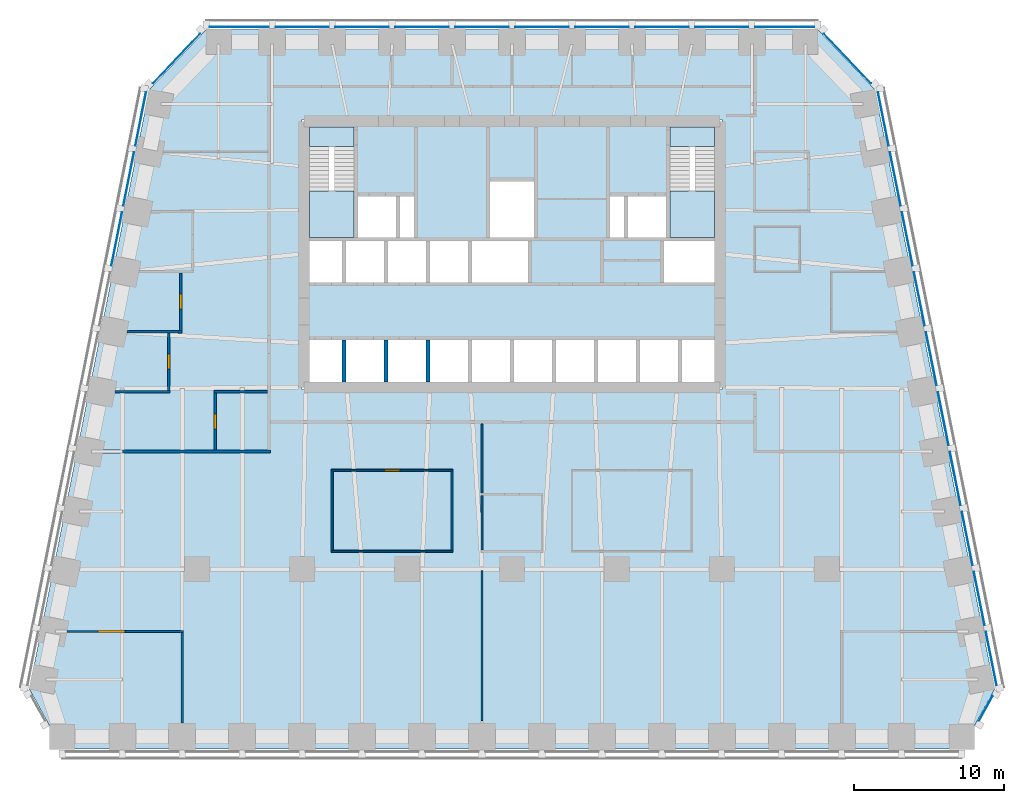
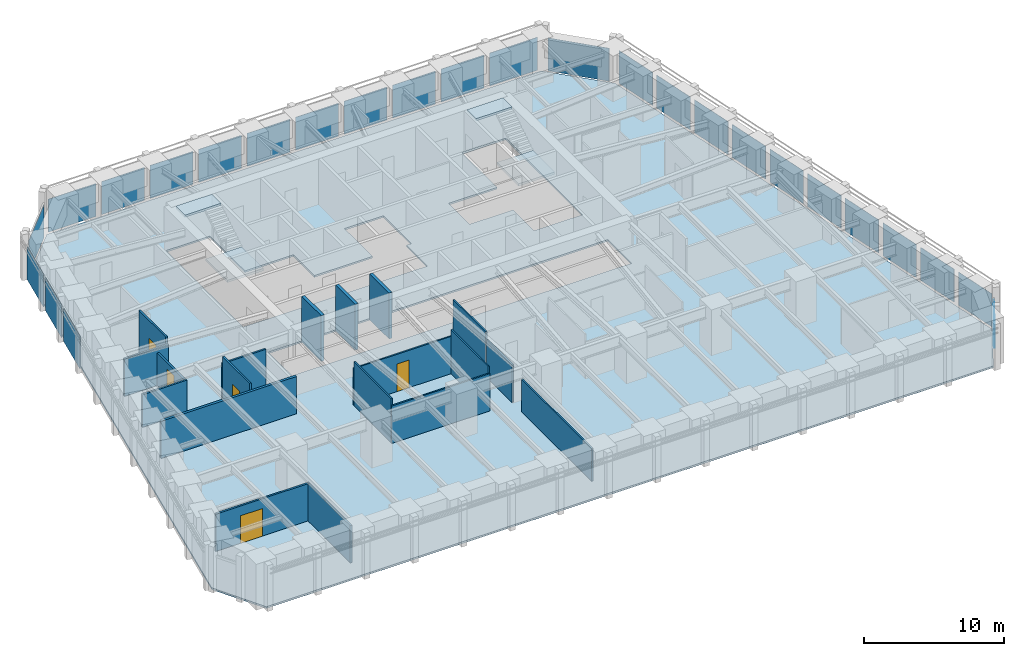
# One storey, part 5 of 10: 26 plates, 19 walls, 5 doors, 5 slabs, 5 openings, 8 elements without a shape of their own.
"""IFC4 building model written with IfcOpenShell, lengths in metres."""

from ifc_helpers import new_model, si_unit, direction, frame, frame_2d, origin, origin_2d, place, context, subcontext, project, spatial, polyline, rectangle, outline, extrude, material, layer, layer_set, type_object, element, fill, aggregate, save


model = new_model("IFC4")

# Units and contexts
model_context = context("Model", 3, precision=1e-05, world=origin(), true_north=direction((0.0, 1.0)))
body_context = subcontext(model_context, "Body", "Model", "MODEL_VIEW")
ifc_project = project(units=[si_unit("LENGTHUNIT", "METRE"), si_unit("AREAUNIT", "SQUARE_METRE"), si_unit("VOLUMEUNIT", "CUBIC_METRE"), si_unit("PLANEANGLEUNIT", "RADIAN"), si_unit("MASSUNIT", "GRAM", prefix="KILO")], contexts=[model_context])

# Site, building, storey
site_placement = place(None, origin())
site = spatial("IfcSite", under=ifc_project, at=site_placement, CompositionType="ELEMENT")
building_placement = place(site_placement, origin())
building = spatial("IfcBuilding", under=site, at=building_placement, Name="Isbrekke Arena Tower", CompositionType="ELEMENT")
storey_placement = place(building_placement, frame((0.0, 0.0, 115.0)))
storey = spatial("IfcBuildingStorey", under=building, at=storey_placement, Name="L25", CompositionType="ELEMENT", Elevation=115.0)

# Curtain wall, plate
ifc_material_1 = material(Name="Glazed aluminium curtain wall", Category="aluminium")
curtain_wall_type = type_object("IfcCurtainWallType", Name="CWM TOWER CURTAIN WALL MID ZONE", PredefinedType="USERDEFINED", material=ifc_material_1)
curtain_wall_1_placement = place(storey_placement, origin())
curtain_wall_1 = element("IfcCurtainWall", 1, at=curtain_wall_1_placement, inside=storey, type_object=curtain_wall_type, Name="CWM curtain wall L25-SE", ObjectType="TOWER CURTAIN WALL MID ZONE", PredefinedType="USERDEFINED")
ifc_material_2 = material(Name="Triple-glazed clear glass unit", Category="glass")
ifc_layer_1 = layer(ifc_material_2, 0.031982421875)
ifc_layer_set_1 = layer_set([ifc_layer_1], Name="CWM-P VISION PANEL")
plate_type = type_object("IfcPlateType", Name="CWM-P VISION PANEL", PredefinedType="CURTAIN_PANEL", material=ifc_layer_set_1)
plate_1_placement = place(storey_placement, frame((31.604248046875, -15.29052734375, 0.02001953125), z_axis=(0.0, 0.0, 1.0), x_axis=(0.481918749773, 0.876215908676, 0.0)))
plate_1 = element("IfcPlate", 2, at=plate_1_placement, type_object=plate_type, Name="CWM-P panel 1", PredefinedType="CURTAIN_PANEL", context=body_context, shape_type="SweptSolid", body=[
    extrude(rectangle(XDim=1.876220703125, YDim=0.031982421875, at=origin_2d()), origin(), (0.0, 0.0, 1.0), 2.8798828125),
])
aggregate(curtain_wall_1, [plate_1])

# Curtain wall, plates
curtain_wall_2_placement = place(storey_placement, origin())
curtain_wall_2 = element("IfcCurtainWall", 3, at=curtain_wall_2_placement, inside=storey, type_object=curtain_wall_type, Name="CWM curtain wall L25-E", ObjectType="TOWER CURTAIN WALL MID ZONE", PredefinedType="USERDEFINED")
plate_2_placement = place(storey_placement, frame((31.9716796875, -11.965576171875, 0.02001953125), z_axis=(0.0, 0.0, 1.0), x_axis=(-0.196116135138, 0.980580675691, 0.0)))
plate_2 = element("IfcPlate", 4, at=plate_2_placement, type_object=plate_type, Name="CWM-P panel 1", PredefinedType="CURTAIN_PANEL", context=body_context, shape_type="SweptSolid", body=[
    extrude(rectangle(XDim=3.629150390625, YDim=0.031982421875, at=origin_2d()), origin(), (0.0, 0.0, 1.0), 2.8798828125),
])
plate_3_placement = place(storey_placement, frame((31.171630859375, -7.965576171875, 0.02001953125), z_axis=(0.0, 0.0, 1.0), x_axis=(-0.196116135138, 0.980580675691, 0.0)))
plate_3 = element("IfcPlate", 5, at=plate_3_placement, type_object=plate_type, Name="CWM-P panel 2", PredefinedType="CURTAIN_PANEL", context=body_context, shape_type="SweptSolid", body=[
    extrude(rectangle(XDim=3.629150390625, YDim=0.031982421875, at=origin_2d()), origin(), (0.0, 0.0, 1.0), 2.8798828125),
])
plate_4_placement = place(storey_placement, frame((30.37158203125, -3.965576171875, 0.02001953125), z_axis=(0.0, 0.0, 1.0), x_axis=(-0.196116135138, 0.980580675691, 0.0)))
plate_4 = element("IfcPlate", 6, at=plate_4_placement, type_object=plate_type, Name="CWM-P panel 3", PredefinedType="CURTAIN_PANEL", context=body_context, shape_type="SweptSolid", body=[
    extrude(rectangle(XDim=3.629150390625, YDim=0.031982421875, at=origin_2d()), origin(), (0.0, 0.0, 1.0), 2.8798828125),
])
plate_5_placement = place(storey_placement, frame((29.571533203125, 0.034423828125, 0.02001953125), z_axis=(0.0, 0.0, 1.0), x_axis=(-0.196116135138, 0.980580675691, 0.0)))
plate_5 = element("IfcPlate", 7, at=plate_5_placement, type_object=plate_type, Name="CWM-P panel 4", PredefinedType="CURTAIN_PANEL", context=body_context, shape_type="SweptSolid", body=[
    extrude(rectangle(XDim=3.629150390625, YDim=0.031982421875, at=origin_2d()), origin(), (0.0, 0.0, 1.0), 2.8798828125),
])
plate_6_placement = place(storey_placement, frame((28.771484375, 4.034423828125, 0.02001953125), z_axis=(0.0, 0.0, 1.0), x_axis=(-0.196116135138, 0.980580675691, 0.0)))
plate_6 = element("IfcPlate", 8, at=plate_6_placement, type_object=plate_type, Name="CWM-P panel 5", PredefinedType="CURTAIN_PANEL", context=body_context, shape_type="SweptSolid", body=[
    extrude(rectangle(XDim=3.629150390625, YDim=0.031982421875, at=origin_2d()), origin(), (0.0, 0.0, 1.0), 2.8798828125),
])
plate_7_placement = place(storey_placement, frame((27.9716796875, 8.034423828125, 0.02001953125), z_axis=(0.0, 0.0, 1.0), x_axis=(-0.196116135138, 0.980580675691, 0.0)))
plate_7 = element("IfcPlate", 9, at=plate_7_placement, type_object=plate_type, Name="CWM-P panel 6", PredefinedType="CURTAIN_PANEL", context=body_context, shape_type="SweptSolid", body=[
    extrude(rectangle(XDim=3.629150390625, YDim=0.031982421875, at=origin_2d()), origin(), (0.0, 0.0, 1.0), 2.8798828125),
])
plate_8_placement = place(storey_placement, frame((27.171630859375, 12.034423828125, 0.02001953125), z_axis=(0.0, 0.0, 1.0), x_axis=(-0.196116135138, 0.980580675691, 0.0)))
plate_8 = element("IfcPlate", 10, at=plate_8_placement, type_object=plate_type, Name="CWM-P panel 7", PredefinedType="CURTAIN_PANEL", context=body_context, shape_type="SweptSolid", body=[
    extrude(rectangle(XDim=3.629150390625, YDim=0.031982421875, at=origin_2d()), origin(), (0.0, 0.0, 1.0), 2.8798828125),
])
plate_9_placement = place(storey_placement, frame((26.37158203125, 16.034423828125, 0.02001953125), z_axis=(0.0, 0.0, 1.0), x_axis=(-0.196116135138, 0.980580675691, 0.0)))
plate_9 = element("IfcPlate", 11, at=plate_9_placement, type_object=plate_type, Name="CWM-P panel 8", PredefinedType="CURTAIN_PANEL", context=body_context, shape_type="SweptSolid", body=[
    extrude(rectangle(XDim=3.629150390625, YDim=0.031982421875, at=origin_2d()), origin(), (0.0, 0.0, 1.0), 2.8798828125),
])
plate_10_placement = place(storey_placement, frame((25.571533203125, 20.034423828125, 0.02001953125), z_axis=(0.0, 0.0, 1.0), x_axis=(-0.196116135138, 0.980580675691, 0.0)))
plate_10 = element("IfcPlate", 12, at=plate_10_placement, type_object=plate_type, Name="CWM-P panel 9", PredefinedType="CURTAIN_PANEL", context=body_context, shape_type="SweptSolid", body=[
    extrude(rectangle(XDim=3.629150390625, YDim=0.031982421875, at=origin_2d()), origin(), (0.0, 0.0, 1.0), 2.8798828125),
])
plate_11_placement = place(storey_placement, frame((24.771484375, 24.034423828125, 0.02001953125), z_axis=(0.0, 0.0, 1.0), x_axis=(-0.196116135138, 0.980580675691, 0.0)))
plate_11 = element("IfcPlate", 13, at=plate_11_placement, type_object=plate_type, Name="CWM-P panel 10", PredefinedType="CURTAIN_PANEL", context=body_context, shape_type="SweptSolid", body=[
    extrude(rectangle(XDim=3.629150390625, YDim=0.031982421875, at=origin_2d()), origin(), (0.0, 0.0, 1.0), 2.8798828125),
])
aggregate(curtain_wall_2, [plate_2, plate_3, plate_4, plate_5, plate_6, plate_7, plate_8, plate_9, plate_10, plate_11])

# Curtain wall, plate
curtain_wall_3_placement = place(storey_placement, origin())
curtain_wall_3 = element("IfcCurtainWall", 14, at=curtain_wall_3_placement, inside=storey, type_object=curtain_wall_type, Name="CWM curtain wall L25-EN", ObjectType="TOWER CURTAIN WALL MID ZONE", PredefinedType="USERDEFINED")
plate_12_placement = place(storey_placement, frame((22.374755859375, 28.06640625, 0.02001953125), z_axis=(0.0, 0.0, 1.0), x_axis=(-0.68874946192, 0.72499943359, 0.0)))
plate_12 = element("IfcPlate", 15, at=plate_12_placement, type_object=plate_type, Name="CWM-P panel 1", PredefinedType="CURTAIN_PANEL", context=body_context, shape_type="SweptSolid", body=[
    extrude(rectangle(XDim=4.558349609375, YDim=0.031982421875, at=origin_2d()), origin(), (0.0, 0.0, 1.0), 2.8798828125),
])
aggregate(curtain_wall_3, [plate_12])

# Curtain wall, plates
curtain_wall_4_placement = place(storey_placement, origin())
curtain_wall_4 = element("IfcCurtainWall", 16, at=curtain_wall_4_placement, inside=storey, type_object=curtain_wall_type, Name="CWM curtain wall L25-N", ObjectType="TOWER CURTAIN WALL MID ZONE", PredefinedType="USERDEFINED")
plate_13_placement = place(storey_placement, frame((18.199951171875, 30.175048828125, 0.02001953125), z_axis=(0.0, 0.0, 1.0), x_axis=(-1.0, 0.0, 0.0)))
plate_13 = element("IfcPlate", 17, at=plate_13_placement, type_object=plate_type, Name="CWM-P panel 1", PredefinedType="CURTAIN_PANEL", context=body_context, shape_type="SweptSolid", body=[
    extrude(rectangle(XDim=3.949951171875, YDim=0.031982421875, at=origin_2d()), origin(), (0.0, 0.0, 1.0), 2.8798828125),
])
plate_14_placement = place(storey_placement, frame((14.0, 30.175048828125, 0.02001953125), z_axis=(0.0, 0.0, 1.0), x_axis=(-1.0, 0.0, 0.0)))
plate_14 = element("IfcPlate", 18, at=plate_14_placement, type_object=plate_type, Name="CWM-P panel 2", PredefinedType="CURTAIN_PANEL", context=body_context, shape_type="SweptSolid", body=[
    extrude(rectangle(XDim=3.550048828125, YDim=0.031982421875, at=origin_2d()), origin(), (0.0, 0.0, 1.0), 2.8798828125),
])
plate_15_placement = place(storey_placement, frame((10.0, 30.175048828125, 0.02001953125), z_axis=(0.0, 0.0, 1.0), x_axis=(-1.0, 0.0, 0.0)))
plate_15 = element("IfcPlate", 19, at=plate_15_placement, type_object=plate_type, Name="CWM-P panel 3", PredefinedType="CURTAIN_PANEL", context=body_context, shape_type="SweptSolid", body=[
    extrude(rectangle(XDim=3.550048828125, YDim=0.031982421875, at=origin_2d()), origin(), (0.0, 0.0, 1.0), 2.8798828125),
])
plate_16_placement = place(storey_placement, frame((6.0, 30.175048828125, 0.02001953125), z_axis=(0.0, 0.0, 1.0), x_axis=(-1.0, 0.0, 0.0)))
plate_16 = element("IfcPlate", 20, at=plate_16_placement, type_object=plate_type, Name="CWM-P panel 4", PredefinedType="CURTAIN_PANEL", context=body_context, shape_type="SweptSolid", body=[
    extrude(rectangle(XDim=3.550048828125, YDim=0.031982421875, at=origin_2d()), origin(), (0.0, 0.0, 1.0), 2.8798828125),
])
plate_17_placement = place(storey_placement, frame((2.0, 30.175048828125, 0.02001953125), z_axis=(0.0, 0.0, 1.0), x_axis=(-1.0, 0.0, 0.0)))
plate_17 = element("IfcPlate", 21, at=plate_17_placement, type_object=plate_type, Name="CWM-P panel 5", PredefinedType="CURTAIN_PANEL", context=body_context, shape_type="SweptSolid", body=[
    extrude(rectangle(XDim=3.550048828125, YDim=0.031982421875, at=origin_2d()), origin(), (0.0, 0.0, 1.0), 2.8798828125),
])
plate_18_placement = place(storey_placement, frame((-2.0, 30.175048828125, 0.02001953125), z_axis=(0.0, 0.0, 1.0), x_axis=(-1.0, 0.0, 0.0)))
plate_18 = element("IfcPlate", 22, at=plate_18_placement, type_object=plate_type, Name="CWM-P panel 6", PredefinedType="CURTAIN_PANEL", context=body_context, shape_type="SweptSolid", body=[
    extrude(rectangle(XDim=3.550048828125, YDim=0.031982421875, at=origin_2d()), origin(), (0.0, 0.0, 1.0), 2.8798828125),
])
plate_19_placement = place(storey_placement, frame((-6.0, 30.175048828125, 0.02001953125), z_axis=(0.0, 0.0, 1.0), x_axis=(-1.0, 0.0, 0.0)))
plate_19 = element("IfcPlate", 23, at=plate_19_placement, type_object=plate_type, Name="CWM-P panel 7", PredefinedType="CURTAIN_PANEL", context=body_context, shape_type="SweptSolid", body=[
    extrude(rectangle(XDim=3.550048828125, YDim=0.031982421875, at=origin_2d()), origin(), (0.0, 0.0, 1.0), 2.8798828125),
])
plate_20_placement = place(storey_placement, frame((-10.0, 30.175048828125, 0.02001953125), z_axis=(0.0, 0.0, 1.0), x_axis=(-1.0, 0.0, 0.0)))
plate_20 = element("IfcPlate", 24, at=plate_20_placement, type_object=plate_type, Name="CWM-P panel 8", PredefinedType="CURTAIN_PANEL", context=body_context, shape_type="SweptSolid", body=[
    extrude(rectangle(XDim=3.550048828125, YDim=0.031982421875, at=origin_2d()), origin(), (0.0, 0.0, 1.0), 2.8798828125),
])
plate_21_placement = place(storey_placement, frame((-14.0, 30.175048828125, 0.02001953125), z_axis=(0.0, 0.0, 1.0), x_axis=(-1.0, 0.0, 0.0)))
plate_21 = element("IfcPlate", 25, at=plate_21_placement, type_object=plate_type, Name="CWM-P panel 9", PredefinedType="CURTAIN_PANEL", context=body_context, shape_type="SweptSolid", body=[
    extrude(rectangle(XDim=3.550048828125, YDim=0.031982421875, at=origin_2d()), origin(), (0.0, 0.0, 1.0), 2.8798828125),
])
plate_22_placement = place(storey_placement, frame((-18.199951171875, 30.175048828125, 0.02001953125), z_axis=(0.0, 0.0, 1.0), x_axis=(-1.0, 0.0, 0.0)))
plate_22 = element("IfcPlate", 26, at=plate_22_placement, type_object=plate_type, Name="CWM-P panel 10", PredefinedType="CURTAIN_PANEL", context=body_context, shape_type="SweptSolid", body=[
    extrude(rectangle(XDim=3.949951171875, YDim=0.031982421875, at=origin_2d()), origin(), (0.0, 0.0, 1.0), 2.8798828125),
])
aggregate(curtain_wall_4, [plate_13, plate_14, plate_15, plate_16, plate_17, plate_18, plate_19, plate_20, plate_21, plate_22])

# Curtain wall, plate
curtain_wall_5_placement = place(storey_placement, origin())
curtain_wall_5 = element("IfcCurtainWall", 27, at=curtain_wall_5_placement, inside=storey, type_object=curtain_wall_type, Name="CWM curtain wall L25-NW", ObjectType="TOWER CURTAIN WALL MID ZONE", PredefinedType="USERDEFINED")
plate_23_placement = place(storey_placement, frame((-22.37451171875, 28.066650390625, 0.02001953125), z_axis=(0.0, 0.0, 1.0), x_axis=(-0.68874946192, -0.72499943359, 0.0)))
plate_23 = element("IfcPlate", 28, at=plate_23_placement, type_object=plate_type, Name="CWM-P panel 1", PredefinedType="CURTAIN_PANEL", context=body_context, shape_type="SweptSolid", body=[
    extrude(rectangle(XDim=4.557373046875, YDim=0.031982421875, at=origin_2d()), origin(), (0.0, 0.0, 1.0), 2.8798828125),
])
aggregate(curtain_wall_5, [plate_23])

# Curtain wall, plates
curtain_wall_6_placement = place(storey_placement, origin())
curtain_wall_6 = element("IfcCurtainWall", 29, at=curtain_wall_6_placement, inside=storey, type_object=curtain_wall_type, Name="CWM curtain wall L25-W", ObjectType="TOWER CURTAIN WALL MID ZONE", PredefinedType="USERDEFINED")
plate_24_placement = place(storey_placement, frame((-24.771484375, 24.034423828125, 0.02001953125), z_axis=(0.0, 0.0, 1.0), x_axis=(-0.196116135138, -0.980580675691, 0.0)))
plate_24 = element("IfcPlate", 30, at=plate_24_placement, type_object=plate_type, Name="CWM-P panel 1", PredefinedType="CURTAIN_PANEL", context=body_context, shape_type="SweptSolid", body=[
    extrude(rectangle(XDim=3.629150390625, YDim=0.031982421875, at=origin_2d()), origin(), (0.0, 0.0, 1.0), 2.8798828125),
])
plate_25_placement = place(storey_placement, frame((-25.571533203125, 20.034423828125, 0.02001953125), z_axis=(0.0, 0.0, 1.0), x_axis=(-0.196116135138, -0.980580675691, 0.0)))
plate_25 = element("IfcPlate", 31, at=plate_25_placement, type_object=plate_type, Name="CWM-P panel 2", PredefinedType="CURTAIN_PANEL", context=body_context, shape_type="SweptSolid", body=[
    extrude(rectangle(XDim=3.629150390625, YDim=0.031982421875, at=origin_2d()), origin(), (0.0, 0.0, 1.0), 2.8798828125),
])
plate_26_placement = place(storey_placement, frame((-26.37158203125, 16.034423828125, 0.02001953125), z_axis=(0.0, 0.0, 1.0), x_axis=(-0.196116135138, -0.980580675691, 0.0)))
plate_26 = element("IfcPlate", 32, at=plate_26_placement, type_object=plate_type, Name="CWM-P panel 3", PredefinedType="CURTAIN_PANEL", context=body_context, shape_type="SweptSolid", body=[
    extrude(rectangle(XDim=3.629150390625, YDim=0.031982421875, at=origin_2d()), origin(), (0.0, 0.0, 1.0), 2.8798828125),
])
aggregate(curtain_wall_6, [plate_24, plate_25, plate_26])

# Slab
ifc_material_3 = material(Name="Concrete B35 (C35/45)", Category="concrete")
ifc_layer_2 = layer(ifc_material_3, 0.14990234375)
ifc_layer_set_2 = layer_set([ifc_layer_2], Name="FS1 COMPOSITE FLOOR 150")
slab_type_1 = type_object("IfcSlabType", Name="FS1 COMPOSITE FLOOR 150", PredefinedType="FLOOR", material=ifc_layer_set_2)
slab_1_placement = place(storey_placement, frame((0.0, 0.0, -0.14990234375)))
element("IfcSlab", 33, at=slab_1_placement, inside=storey, type_object=slab_type_1, Name="FS1 floor slab L25", PredefinedType="FLOOR", context=body_context, shape_type="SweptSolid", body=[
    extrude(outline(polyline([(-30.0, -18.0), (30.0, -18.0), (32.199951171875, -14.0), (24.199951171875, 26.0), (20.39990234375, 30.0), (-20.39990234375, 30.0), (-24.199951171875, 26.0), (-32.199951171875, -14.0), (-30.0, -18.0)]), holes=[polyline([(14.0, 9.39990234375), (14.0, 6.0), (-14.0, 6.0), (-14.0, 9.39990234375), (14.0, 9.39990234375)]), polyline([(-6.39990234375, 19.0), (-6.39990234375, 16.0), (-1.60009765625, 16.0), (-1.60009765625, 20.0), (1.60009765625, 20.0), (1.60009765625, 16.0), (1.199951171875, 16.0), (1.199951171875, 13.0), (-14.0, 13.0), (-14.0, 24.0), (-10.39990234375, 24.0), (-10.39990234375, 19.0), (-6.39990234375, 19.0)]), polyline([(10.0, 13.0), (10.0, 16.0), (6.39990234375, 16.0), (6.39990234375, 19.0), (10.39990234375, 19.0), (10.39990234375, 24.0), (14.0, 24.0), (14.0, 13.0), (10.0, 13.0)])]), origin(), (0.0, 0.0, 1.0), 0.14990234375),
])

# Stair, slabs
ifc_material_4 = material(Name="Concrete B45 (C45/55) precast", Category="concrete")
stair_type = type_object("IfcStairType", Name="ST40 STAIR 1300 WIDE, 24 RISERS 167", PredefinedType="HALF_TURN_STAIR", material=ifc_material_4)
stair_1_placement = place(storey_placement, origin())
stair_1 = element("IfcStair", 34, at=stair_1_placement, inside=storey, type_object=stair_type, Name="ST1 stair L25", PredefinedType="HALF_TURN_STAIR")
ifc_material_5 = material(Name="Concrete B35 (C35/45)", Category="concrete")
ifc_layer_3 = layer(ifc_material_5, 0.199951171875)
ifc_layer_set_3 = layer_set([ifc_layer_3], Name="SL1 STAIR LANDING 200")
slab_type_2 = type_object("IfcSlabType", Name="SL1 STAIR LANDING 200", PredefinedType="LANDING", material=ifc_layer_set_3)
slab_2_placement = place(storey_placement, frame((0.0, 0.0, 1.800048828125)))
slab_2 = element("IfcSlab", 35, at=slab_2_placement, type_object=slab_type_2, Name="ST1 landing 1", PredefinedType="LANDING", context=body_context, shape_type="SweptSolid", body=[
    extrude(outline(polyline([(-13.5, 16.125), (-10.52490234375, 16.125), (-10.52490234375, 19.22998046875), (-13.5, 19.22998046875), (-13.5, 16.125)])), origin(), (0.0, 0.0, 1.0), 0.199951171875),
])
slab_3_placement = place(storey_placement, frame((0.0, 0.0, 3.800048828125)))
slab_3 = element("IfcSlab", 36, at=slab_3_placement, type_object=slab_type_2, Name="ST1 landing 2", PredefinedType="LANDING", context=body_context, shape_type="SweptSolid", body=[
    extrude(outline(polyline([(-13.5, 22.199951171875), (-10.52490234375, 22.199951171875), (-10.52490234375, 23.5), (-13.5, 23.5), (-13.5, 22.199951171875)])), origin(), (0.0, 0.0, 1.0), 0.199951171875),
])
aggregate(stair_1, [slab_2, slab_3])

stair_2_placement = place(storey_placement, origin())
stair_2 = element("IfcStair", 37, at=stair_2_placement, inside=storey, type_object=stair_type, Name="ST2 stair L25", PredefinedType="HALF_TURN_STAIR")
slab_4_placement = place(storey_placement, frame((0.0, 0.0, 1.800048828125)))
slab_4 = element("IfcSlab", 38, at=slab_4_placement, type_object=slab_type_2, Name="ST2 landing 1", PredefinedType="LANDING", context=body_context, shape_type="SweptSolid", body=[
    extrude(outline(polyline([(10.52490234375, 16.125), (13.5, 16.125), (13.5, 19.22998046875), (10.52490234375, 19.22998046875), (10.52490234375, 16.125)])), origin(), (0.0, 0.0, 1.0), 0.199951171875),
])
slab_5_placement = place(storey_placement, frame((0.0, 0.0, 3.800048828125)))
slab_5 = element("IfcSlab", 39, at=slab_5_placement, type_object=slab_type_2, Name="ST2 landing 2", PredefinedType="LANDING", context=body_context, shape_type="SweptSolid", body=[
    extrude(outline(polyline([(10.52490234375, 22.199951171875), (13.5, 22.199951171875), (13.5, 23.5), (10.52490234375, 23.5), (10.52490234375, 22.199951171875)])), origin(), (0.0, 0.0, 1.0), 0.199951171875),
])
aggregate(stair_2, [slab_4, slab_5])

# Walls
ifc_material_6 = material(Name="Concrete B45 (C45/55)", Category="concrete")
ifc_layer_4 = layer(ifc_material_6, 0.25)
ifc_layer_set_4 = layer_set([ifc_layer_4], Name="CW6 SHAFT WALL 250")
wall_type_1 = type_object("IfcWallType", Name="CW6 SHAFT WALL 250", PredefinedType="SHEAR", material=ifc_layer_set_4)
for number, where, z_axis, x_axis, name in (
    (40, (-11.199951171875, 6.5, 0.0), (0.0, 0.0, 1.0), (0.0, 1.0, 0.0), "Core wall SS01 L25"),
    (41, (-8.39990234375, 6.5, 0.0), (0.0, 0.0, 1.0), (0.0, 1.0, 0.0), "Core wall SS02 L25"),
    (42, (-5.60009765625, 6.5, 0.0), (0.0, 0.0, 1.0), (0.0, 1.0, 0.0), "Core wall SS03 L25"),
):
    element("IfcWall", number, at=place(storey_placement, frame(where, z_axis=z_axis, x_axis=x_axis)), inside=storey, type_object=wall_type_1, Name=name, PredefinedType="SHEAR", context=body_context, shape_type="SweptSolid", body=[
        extrude(rectangle(XDim=2.77490234375, YDim=0.25, at=frame_2d((1.387451171875, 0.0))), origin(), (0.0, 0.0, 1.0), 4.0),
    ])

# Wall, opening, door
ifc_material_7 = material(Name="Gypsum board partition on steel studs", Category="steel")
ifc_layer_5 = layer(ifc_material_7, 0.14990234375)
ifc_layer_set_5 = layer_set([ifc_layer_5], Name="IW1 PARTITION 150")
wall_type_2 = type_object("IfcWallType", Name="IW1 PARTITION 150", PredefinedType="PARTITIONING", material=ifc_layer_set_5)
wall_1_placement = place(storey_placement, frame((-29.6728515625, -10.159912109375, 0.0), z_axis=(0.0, 0.0, 1.0), x_axis=(1.0, 0.0, 0.0)))
wall_1 = element("IfcWall", 43, at=wall_1_placement, inside=storey, type_object=wall_type_2, Name="IW1 partition 150 L25", PredefinedType="PARTITIONING", context=body_context, shape_type="SweptSolid", body=[
    extrude(rectangle(XDim=7.747802734375, YDim=0.14990234375, at=frame_2d((3.8740234375, 0.0))), origin(), (0.0, 0.0, 1.0), 3.25),
])
opening_1_placement = place(wall_1_placement, frame((2.041015625, 0.0, 0.0)))
opening_1 = element("IfcOpeningElement", 44, at=opening_1_placement, cuts=wall_1, Name="Opening D13", PredefinedType="OPENING", context=body_context, shape_type="SweptSolid", body=[
    extrude(rectangle(XDim=1.800048828125, YDim=2.39990234375, at=frame_2d((0.89990234375, 1.199951171875))), frame((0.0, 0.08984375, 0.0), z_axis=(0.0, -1.0, 0.0), x_axis=(1.0, 0.0, 0.0)), (0.0, 0.0, 1.0), 0.1796875),
])
ifc_material_8 = material(Name="Timber door pair", Category="wood")
door_type_1 = type_object("IfcDoorType", Name="D13 DOUBLE ROOM DOOR 1800 x 2400", OperationType="DOUBLE_DOOR_SINGLE_SWING", PredefinedType="DOOR", material=ifc_material_8)
door_1_placement = place(opening_1_placement, origin())
door_1 = element("IfcDoor", 45, at=door_1_placement, inside=storey, type_object=door_type_1, Name="D13 office door L25", OperationType="DOUBLE_DOOR_SINGLE_SWING", OverallHeight=2.39990234375, OverallWidth=1.800048828125, PredefinedType="DOOR", context=body_context, shape_type="SweptSolid", body=[
    extrude(rectangle(XDim=1.800048828125, YDim=2.39990234375, at=frame_2d((0.89990234375, 1.199951171875))), frame((0.0, 0.07470703125, 0.0), z_axis=(0.0, -1.0, 0.0), x_axis=(1.0, 0.0, 0.0)), (0.0, 0.0, 1.0), 0.1494140625),
])
fill(opening_1, door_1)

# Walls
wall_2_placement = place(storey_placement, frame((-26.472900390625, 5.840087890625, 0.0), z_axis=(0.0, 0.0, 1.0), x_axis=(1.0, 0.0, 0.0)))
element("IfcWall", 46, at=wall_2_placement, inside=storey, type_object=wall_type_2, Name="IW1 partition 150 L25", PredefinedType="PARTITIONING", context=body_context, shape_type="SweptSolid", body=[
    extrude(rectangle(XDim=3.64794921875, YDim=0.14990234375, at=frame_2d((1.823974609375, 0.0))), origin(), (0.0, 0.0, 1.0), 2.842041015625),
])
wall_3_placement = place(storey_placement, frame((-19.875, 5.840087890625, 0.0), z_axis=(0.0, 0.0, 1.0), x_axis=(1.0, 0.0, 0.0)))
element("IfcWall", 47, at=wall_3_placement, inside=storey, type_object=wall_type_2, Name="IW1 partition 150 L25", PredefinedType="PARTITIONING", context=body_context, shape_type="SweptSolid", body=[
    extrude(rectangle(XDim=3.574951171875, YDim=0.14990234375, at=frame_2d((1.78759765625, 0.0))), origin(), (0.0, 0.0, 1.0), 3.25),
])
wall_4_placement = place(storey_placement, frame((-25.6728515625, 9.840087890625, 0.0), z_axis=(0.0, 0.0, 1.0), x_axis=(1.0, 0.0, 0.0)))
element("IfcWall", 48, at=wall_4_placement, inside=storey, type_object=wall_type_2, Name="IW1 partition 150 L25", PredefinedType="PARTITIONING", context=body_context, shape_type="SweptSolid", body=[
    extrude(rectangle(XDim=3.64794921875, YDim=0.14990234375, at=frame_2d((1.823974609375, 0.0))), origin(), (0.0, 0.0, 1.0), 3.25),
])

# Wall, opening, door
wall_5_placement = place(storey_placement, frame((-22.89990234375, 5.9150390625, 0.0), z_axis=(0.0, 0.0, 1.0), x_axis=(0.0, 1.0, 0.0)))
wall_5 = element("IfcWall", 49, at=wall_5_placement, inside=storey, type_object=wall_type_2, Name="IW1 partition 150 L25", PredefinedType="PARTITIONING", context=body_context, shape_type="SweptSolid", body=[
    extrude(rectangle(XDim=3.849853515625, YDim=0.14990234375, at=frame_2d((1.9248046875, 0.0))), origin(), (0.0, 0.0, 1.0), 2.842041015625),
])
opening_2_placement = place(wall_5_placement, frame((1.425048828125, 0.0, 0.0)))
opening_2 = element("IfcOpeningElement", 50, at=opening_2_placement, cuts=wall_5, Name="Opening D10", PredefinedType="OPENING", context=body_context, shape_type="SweptSolid", body=[
    extrude(rectangle(XDim=1.0, YDim=2.300048828125, at=frame_2d((0.5, 1.14990234375))), frame((0.0, 0.08984375, 0.0), z_axis=(0.0, -1.0, 0.0), x_axis=(1.0, 0.0, 0.0)), (0.0, 0.0, 1.0), 0.1796875),
])
ifc_material_9 = material(Name="Timber door", Category="wood")
door_type_2 = type_object("IfcDoorType", Name="D10 OFFICE DOOR 1000 x 2300", OperationType="SINGLE_SWING_LEFT", PredefinedType="DOOR", material=ifc_material_9)
door_2_placement = place(opening_2_placement, origin())
door_2 = element("IfcDoor", 51, at=door_2_placement, inside=storey, type_object=door_type_2, Name="D10 office door L25", OperationType="SINGLE_SWING_LEFT", OverallHeight=2.300048828125, OverallWidth=1.0, PredefinedType="DOOR", context=body_context, shape_type="SweptSolid", body=[
    extrude(rectangle(XDim=1.0, YDim=2.300048828125, at=frame_2d((0.5, 1.14990234375))), frame((0.0, 0.07470703125, 0.0), z_axis=(0.0, -1.0, 0.0), x_axis=(1.0, 0.0, 0.0)), (0.0, 0.0, 1.0), 0.1494140625),
])
fill(opening_2, door_2)

wall_6_placement = place(storey_placement, frame((-22.10009765625, 9.9150390625, 0.0), z_axis=(0.0, 0.0, 1.0), x_axis=(0.0, 1.0, 0.0)))
wall_6 = element("IfcWall", 52, at=wall_6_placement, inside=storey, type_object=wall_type_2, Name="IW1 partition 150 L25", PredefinedType="PARTITIONING", context=body_context, shape_type="SweptSolid", body=[
    extrude(rectangle(XDim=3.849853515625, YDim=0.14990234375, at=frame_2d((1.9248046875, 0.0))), origin(), (0.0, 0.0, 1.0), 3.85009765625),
])
opening_3_placement = place(wall_6_placement, frame((1.425048828125, 0.0, 0.0)))
opening_3 = element("IfcOpeningElement", 53, at=opening_3_placement, cuts=wall_6, Name="Opening D10", PredefinedType="OPENING", context=body_context, shape_type="SweptSolid", body=[
    extrude(rectangle(XDim=1.0, YDim=2.300048828125, at=frame_2d((0.5, 1.14990234375))), frame((0.0, 0.08984375, 0.0), z_axis=(0.0, -1.0, 0.0), x_axis=(1.0, 0.0, 0.0)), (0.0, 0.0, 1.0), 0.1796875),
])
door_3_placement = place(opening_3_placement, origin())
door_3 = element("IfcDoor", 54, at=door_3_placement, inside=storey, type_object=door_type_2, Name="D10 office door L25", OperationType="SINGLE_SWING_LEFT", OverallHeight=2.300048828125, OverallWidth=1.0, PredefinedType="DOOR", context=body_context, shape_type="SweptSolid", body=[
    extrude(rectangle(XDim=1.0, YDim=2.300048828125, at=frame_2d((0.5, 1.14990234375))), frame((0.0, 0.07470703125, 0.0), z_axis=(0.0, -1.0, 0.0), x_axis=(1.0, 0.0, 0.0)), (0.0, 0.0, 1.0), 0.1494140625),
])
fill(opening_3, door_3)

# Wall
wall_7_placement = place(storey_placement, frame((-22.0, -16.27490234375, 0.0), z_axis=(0.0, 0.0, 1.0), x_axis=(0.0, 1.0, 0.0)))
element("IfcWall", 55, at=wall_7_placement, inside=storey, type_object=wall_type_2, Name="IW1 partition 150 L25", PredefinedType="PARTITIONING", context=body_context, shape_type="SweptSolid", body=[
    extrude(rectangle(XDim=6.039794921875, YDim=0.14990234375, at=frame_2d((3.02001953125, 0.0))), origin(), (0.0, 0.0, 1.0), 3.25),
])

# Wall, opening, door
wall_8_placement = place(storey_placement, frame((-19.800048828125, 1.93994140625, 0.0), z_axis=(0.0, 0.0, 1.0), x_axis=(0.0, 1.0, 0.0)))
wall_8 = element("IfcWall", 56, at=wall_8_placement, inside=storey, type_object=wall_type_2, Name="IW1 partition 150 L25", PredefinedType="PARTITIONING", context=body_context, shape_type="SweptSolid", body=[
    extrude(rectangle(XDim=3.824951171875, YDim=0.14990234375, at=frame_2d((1.91259765625, 0.0))), origin(), (0.0, 0.0, 1.0), 3.85009765625),
])
opening_4_placement = place(wall_8_placement, frame((1.39990234375, 0.0, 0.0)))
opening_4 = element("IfcOpeningElement", 57, at=opening_4_placement, cuts=wall_8, Name="Opening D10", PredefinedType="OPENING", context=body_context, shape_type="SweptSolid", body=[
    extrude(rectangle(XDim=1.0, YDim=2.300048828125, at=frame_2d((0.5, 1.14990234375))), frame((0.0, 0.08984375, 0.0), z_axis=(0.0, -1.0, 0.0), x_axis=(1.0, 0.0, 0.0)), (0.0, 0.0, 1.0), 0.1796875),
])
door_4_placement = place(opening_4_placement, origin())
door_4 = element("IfcDoor", 58, at=door_4_placement, inside=storey, type_object=door_type_2, Name="D10 pantry door L25", OperationType="SINGLE_SWING_LEFT", OverallHeight=2.300048828125, OverallWidth=1.0, PredefinedType="DOOR", context=body_context, shape_type="SweptSolid", body=[
    extrude(rectangle(XDim=1.0, YDim=2.300048828125, at=frame_2d((0.5, 1.14990234375))), frame((0.0, 0.07470703125, 0.0), z_axis=(0.0, -1.0, 0.0), x_axis=(1.0, 0.0, 0.0)), (0.0, 0.0, 1.0), 0.1494140625),
])
fill(opening_4, door_4)

# Walls
wall_9_placement = place(storey_placement, frame((-2.0, -4.72509765625, 0.0), z_axis=(0.0, 0.0, 1.0), x_axis=(0.0, 1.0, 0.0)))
element("IfcWall", 59, at=wall_9_placement, inside=storey, type_object=wall_type_2, Name="IW1 partition 150 L25", PredefinedType="PARTITIONING", context=body_context, shape_type="SweptSolid", body=[
    extrude(rectangle(XDim=3.650146484375, YDim=0.14990234375, at=frame_2d((1.8251953125, 0.0))), origin(), (0.0, 0.0, 1.0), 3.25),
])
ifc_material_10 = material(Name="Frameless glazed partition, laminated acoustic glass", Category="glass")
ifc_layer_6 = layer(ifc_material_10, 0.1201171875)
ifc_layer_set_6 = layer_set([ifc_layer_6], Name="IW2 GLAZED PARTITION 120")
wall_type_3 = type_object("IfcWallType", Name="IW2 GLAZED PARTITION 120", PredefinedType="PARTITIONING", material=ifc_layer_set_6)
wall_10_placement = place(storey_placement, frame((-12.06005859375, -4.800048828125, 0.0), z_axis=(0.0, 0.0, 1.0), x_axis=(1.0, 0.0, 0.0)))
element("IfcWall", 60, at=wall_10_placement, inside=storey, type_object=wall_type_3, Name="IW2 glazed partition 120 L25", PredefinedType="PARTITIONING", context=body_context, shape_type="SweptSolid", body=[
    extrude(rectangle(XDim=8.1201171875, YDim=0.1201171875, at=frame_2d((4.06005859375, 0.0))), origin(), (0.0, 0.0, 1.0), 3.25),
])

# Wall, opening, door
wall_11_placement = place(storey_placement, frame((-12.06005859375, 0.60009765625, 0.0), z_axis=(0.0, 0.0, 1.0), x_axis=(1.0, 0.0, 0.0)))
wall_11 = element("IfcWall", 61, at=wall_11_placement, inside=storey, type_object=wall_type_3, Name="IW2 glazed partition 120 L25", PredefinedType="PARTITIONING", context=body_context, shape_type="SweptSolid", body=[
    extrude(rectangle(XDim=8.1201171875, YDim=0.1201171875, at=frame_2d((4.06005859375, 0.0))), origin(), (0.0, 0.0, 1.0), 3.25),
])
opening_5_placement = place(wall_11_placement, frame((3.56005859375, 0.0, 0.0)))
opening_5 = element("IfcOpeningElement", 62, at=opening_5_placement, cuts=wall_11, Name="Opening D11", PredefinedType="OPENING", context=body_context, shape_type="SweptSolid", body=[
    extrude(rectangle(XDim=1.0, YDim=2.39990234375, at=frame_2d((0.5, 1.199951171875))), frame((0.0, 0.074951171875, 0.0), z_axis=(0.0, -1.0, 0.0), x_axis=(1.0, 0.0, 0.0)), (0.0, 0.0, 1.0), 0.14990234375),
])
ifc_material_11 = material(Name="Frameless glazed door", Category="glass")
door_type_3 = type_object("IfcDoorType", Name="D11 GLAZED MEETING ROOM DOOR 1000 x 2400", OperationType="SINGLE_SWING_RIGHT", PredefinedType="DOOR", material=ifc_material_11)
door_5_placement = place(opening_5_placement, origin())
door_5 = element("IfcDoor", 63, at=door_5_placement, inside=storey, type_object=door_type_3, Name="D11 meeting room door L25", OperationType="SINGLE_SWING_RIGHT", OverallHeight=2.39990234375, OverallWidth=1.0, PredefinedType="DOOR", context=body_context, shape_type="SweptSolid", body=[
    extrude(rectangle(XDim=1.0, YDim=2.39990234375, at=frame_2d((0.5, 1.199951171875))), frame((0.0, 0.059814453125, 0.0), z_axis=(0.0, -1.0, 0.0), x_axis=(1.0, 0.0, 0.0)), (0.0, 0.0, 1.0), 0.11962890625),
])
fill(opening_5, door_5)

# Walls
for number, where, z_axis, x_axis, name in (
    (64, (-12.0, -4.739990234375, 0.0), (0.0, 0.0, 1.0), (0.0, 1.0, 0.0), "IW2 glazed partition 120 L25"),
    (65, (-4.0, -4.739990234375, 0.0), (0.0, 0.0, 1.0), (0.0, 1.0, 0.0), "IW2 glazed partition 120 L25"),
):
    element("IfcWall", number, at=place(storey_placement, frame(where, z_axis=z_axis, x_axis=x_axis)), inside=storey, type_object=wall_type_3, Name=name, PredefinedType="PARTITIONING", context=body_context, shape_type="SweptSolid", body=[
        extrude(rectangle(XDim=5.280029296875, YDim=0.1201171875, at=frame_2d((2.64013671875, 0.0))), origin(), (0.0, 0.0, 1.0), 3.85009765625),
    ])
wall_12_placement = place(storey_placement, frame((-1.9990234375, -16.10009765625, 0.0), z_axis=(0.0, 0.0, 1.0), x_axis=(0.0, 1.0, 0.0)))
element("IfcWall", 66, at=wall_12_placement, inside=storey, type_object=wall_type_3, Name="IW2 glazed partition 120 L25", PredefinedType="PARTITIONING", context=body_context, shape_type="SweptSolid", body=[
    extrude(rectangle(XDim=10.005126953125, YDim=0.1201171875, at=frame_2d((5.00244140625, 0.0))), origin(), (0.0, 0.0, 1.0), 2.842041015625),
])
wall_13_placement = place(storey_placement, frame((-1.9990234375, -0.905029296875, 0.0), z_axis=(0.0, 0.0, 1.0), x_axis=(0.0, 1.0, 0.0)))
element("IfcWall", 67, at=wall_13_placement, inside=storey, type_object=wall_type_3, Name="IW2 glazed partition 120 L25", PredefinedType="PARTITIONING", context=body_context, shape_type="SweptSolid", body=[
    extrude(rectangle(XDim=4.5849609375, YDim=0.1201171875, at=frame_2d((2.29248046875, 0.0))), origin(), (0.0, 0.0, 1.0), 3.85009765625),
])
ifc_material_12 = material(Name="Gypsum board fire-cell wall on steel studs, two layers each side", Category="steel")
ifc_layer_7 = layer(ifc_material_12, 0.199951171875)
ifc_layer_set_7 = layer_set([ifc_layer_7], Name="IW3 FIRE-CELL WALL 200")
wall_type_4 = type_object("IfcWallType", Name="IW3 FIRE-CELL WALL 200", PredefinedType="PARTITIONING", material=ifc_layer_set_7)
wall_14_placement = place(storey_placement, frame((-27.272705078125, 1.840087890625, 0.0), z_axis=(0.0, 0.0, 1.0), x_axis=(1.0, 0.0, 0.0)))
element("IfcWall", 68, at=wall_14_placement, inside=storey, type_object=wall_type_4, Name="IW3 fire-cell wall 200 L25", PredefinedType="PARTITIONING", context=body_context, shape_type="SweptSolid", body=[
    extrude(rectangle(XDim=11.172607421875, YDim=0.199951171875, at=frame_2d((5.58642578125, 0.0))), origin(), (0.0, 0.0, 1.0), 3.25),
])

save(model, "model.ifc")
